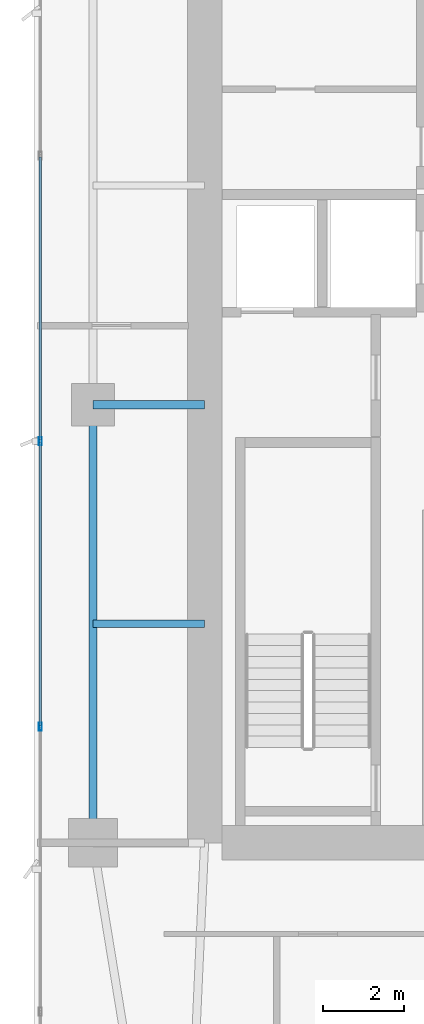
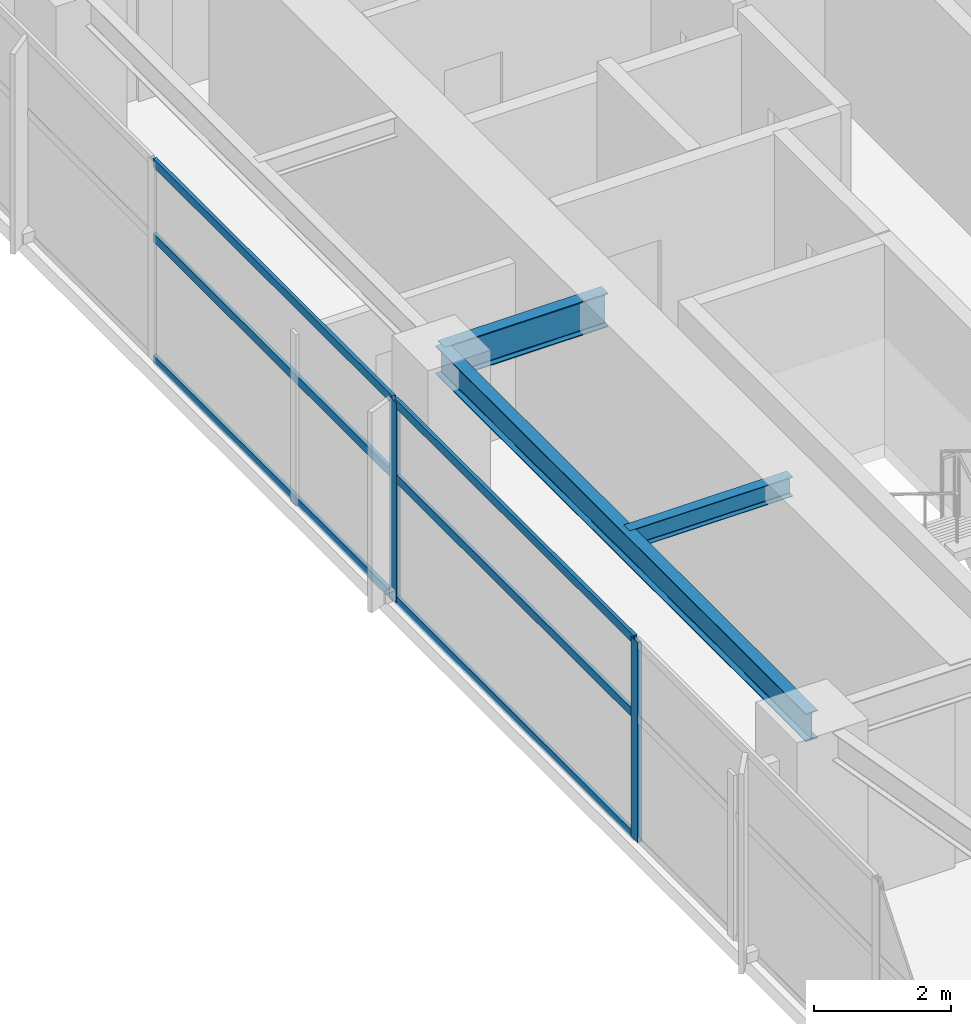
# One storey, part 8 of 28: 8 members, 3 beams, 1 element without a shape of its own.
"""IFC4 building model written with IfcOpenShell, lengths in metres."""

from ifc_helpers import new_model, si_unit, direction, frame, origin, origin_2d, place, context, subcontext, project, spatial, hollow_rectangle, i_section, extrude, material, layer, layer_set, material_profile, profile_set, type_object, element, aggregate, save


model = new_model("IFC4")

# Units and contexts
model_context = context("Model", 3, precision=1e-05, world=origin(), true_north=direction((0.0, 1.0)))
body_context = subcontext(model_context, "Body", "Model", "MODEL_VIEW")
ifc_project = project(units=[si_unit("LENGTHUNIT", "METRE"), si_unit("AREAUNIT", "SQUARE_METRE"), si_unit("VOLUMEUNIT", "CUBIC_METRE"), si_unit("PLANEANGLEUNIT", "RADIAN"), si_unit("MASSUNIT", "GRAM", prefix="KILO")], contexts=[model_context])

# Site, building, storey
site_placement = place(None, origin())
site = spatial("IfcSite", under=ifc_project, at=site_placement, CompositionType="ELEMENT")
building_placement = place(site_placement, origin())
building = spatial("IfcBuilding", under=site, at=building_placement, Name="Calvorn Quay Hotel", CompositionType="ELEMENT")
storey_placement = place(building_placement, frame((0.0, 0.0, 178.89990234375)))
storey = spatial("IfcBuildingStorey", under=building, at=storey_placement, Name="L44", CompositionType="ELEMENT", Elevation=178.89990234375)

# Beams
ifc_material_1 = material(Name="Steel Q355B", Category="steel")
ifc_material_profile_1 = material_profile(ifc_material_1, i_section(OverallWidth=0.199951171875, OverallDepth=0.60009765625, WebThickness=0.010986328125, FlangeThickness=0.01708984375, FilletRadius=0.01806640625, at=origin_2d()), Name="HN600x200x11x17")
ifc_profile_set_1 = profile_set([ifc_material_profile_1], Name="Steel Q355B")
beam_type_1 = type_object("IfcBeamType", Name="BM-GIRD-TYP", PredefinedType="BEAM", material=ifc_profile_set_1)
beam_1_placement = place(storey_placement, frame((1.449951171875, 27.60009765625, 3.239990234375), z_axis=(1.0, 0.0, 0.0), x_axis=(0.0, 1.0, 0.0)))
element("IfcBeam", 1, at=beam_1_placement, inside=storey, type_object=beam_type_1, Name="Beam BG-L44-W2", PredefinedType="BEAM", context=body_context, shape_type="SweptSolid", body=[
    extrude(i_section(OverallWidth=0.199951171875, OverallDepth=0.60009765625, WebThickness=0.010986328125, FlangeThickness=0.01708984375, FilletRadius=0.01806640625, at=origin_2d()), origin(), (0.0, 0.0, 1.0), 2.75),
])
ifc_material_2 = material(Name="Steel Q355B", Category="steel")
ifc_material_profile_2 = material_profile(ifc_material_2, i_section(OverallWidth=0.175048828125, OverallDepth=0.35009765625, WebThickness=0.007080078125, FlangeThickness=0.010986328125, FilletRadius=0.013916015625, at=origin_2d()), Name="HN350x175x7x11")
ifc_profile_set_2 = profile_set([ifc_material_profile_2], Name="Steel Q355B")
beam_type_2 = type_object("IfcBeamType", Name="BM-JOIST-SEC", PredefinedType="JOIST", material=ifc_profile_set_2)
beam_2_placement = place(storey_placement, frame((1.449951171875, 22.199951171875, 3.364990234375), z_axis=(1.0, 0.0, 0.0), x_axis=(0.0, 1.0, 0.0)))
element("IfcBeam", 2, at=beam_2_placement, inside=storey, type_object=beam_type_2, Name="Beam BJ-L44-W3", PredefinedType="JOIST", context=body_context, shape_type="SweptSolid", body=[
    extrude(i_section(OverallWidth=0.175048828125, OverallDepth=0.35009765625, WebThickness=0.007080078125, FlangeThickness=0.010986328125, FilletRadius=0.013916015625, at=origin_2d()), origin(), (0.0, 0.0, 1.0), 2.75),
])
ifc_material_3 = material(Name="Steel Q355B", Category="steel")
ifc_material_profile_3 = material_profile(ifc_material_3, i_section(OverallWidth=0.199951171875, OverallDepth=0.5, WebThickness=0.010009765625, FlangeThickness=0.01611328125, FilletRadius=0.01611328125, at=origin_2d()), Name="HN500x200x10x16")
ifc_profile_set_3 = profile_set([ifc_material_profile_3], Name="Steel Q355B")
beam_type_3 = type_object("IfcBeamType", Name="BM-SPANDREL-Z1", PredefinedType="SPANDREL", material=ifc_profile_set_3)
beam_3_placement = place(storey_placement, frame((1.449951171875, 16.800048828125, 3.2900390625), z_axis=(0.0, 1.0, 0.0), x_axis=(-1.0, 0.0, 0.0)))
element("IfcBeam", 3, at=beam_3_placement, inside=storey, type_object=beam_type_3, Name="Beam BSP-L44-W2", PredefinedType="SPANDREL", context=body_context, shape_type="SweptSolid", body=[
    extrude(i_section(OverallWidth=0.199951171875, OverallDepth=0.5, WebThickness=0.010009765625, FlangeThickness=0.01611328125, FilletRadius=0.01611328125, at=origin_2d()), origin(), (0.0, 0.0, 1.0), 10.800048828125),
])

# Curtain wall, members
ifc_material_4 = material(Name="Pale Anodised Aluminium and Low-E Glass", Category="aluminium")
ifc_layer = layer(ifc_material_4, 0.219970703125)
ifc_layer_set = layer_set([ifc_layer], Name="CW-SYS-Z2")
curtain_wall_type = type_object("IfcCurtainWallType", Name="CW-SYS-Z2", PredefinedType="NOTDEFINED", material=ifc_layer_set)
curtain_wall_placement = place(storey_placement, origin())
curtain_wall = element("IfcCurtainWall", 4, at=curtain_wall_placement, inside=storey, type_object=curtain_wall_type, Name="Tower West Curtain Wall (L44)", PredefinedType="NOTDEFINED")
ifc_material_5 = material(Name="Pale Anodised Aluminium 6063-T6", Category="aluminium")
ifc_material_profile_4 = material_profile(ifc_material_5, hollow_rectangle(XDim=0.070068359375, YDim=0.199951171875, WallThickness=0.00390625, at=origin_2d()), Name="ALU-M200x70x4")
ifc_profile_set_4 = profile_set([ifc_material_profile_4], Name="Pale Anodised Aluminium 6063-T6")
member_type_1 = type_object("IfcMemberType", Name="CW-SYS-Z2-MUL", PredefinedType="MULLION", material=ifc_profile_set_4)
member_1_placement = place(storey_placement, frame((0.14990234375, 19.666748046875, 0.0), z_axis=(0.0, 0.0, 1.0), x_axis=(-1.0, 0.0, 0.0)))
member_1 = element("IfcMember", 5, at=member_1_placement, type_object=member_type_1, Name="CW-L44-W mullion 3", PredefinedType="MULLION", context=body_context, shape_type="SweptSolid", body=[
    extrude(hollow_rectangle(XDim=0.070068359375, YDim=0.199951171875, WallThickness=0.00390625, at=origin_2d()), origin(), (0.0, 0.0, 1.0), 3.56005859375),
])
member_2_placement = place(storey_placement, frame((0.14990234375, 26.699951171875, 0.0), z_axis=(0.0, 0.0, 1.0), x_axis=(-1.0, 0.0, 0.0)))
member_2 = element("IfcMember", 6, at=member_2_placement, type_object=member_type_1, Name="CW-L44-W mullion 4", PredefinedType="MULLION", context=body_context, shape_type="SweptSolid", body=[
    extrude(hollow_rectangle(XDim=0.070068359375, YDim=0.199951171875, WallThickness=0.00390625, at=origin_2d()), origin(), (0.0, 0.0, 1.0), 3.56005859375),
])
ifc_material_6 = material(Name="Pale Anodised Aluminium 6063-T6", Category="aluminium")
ifc_material_profile_5 = material_profile(ifc_material_6, hollow_rectangle(XDim=0.06005859375, YDim=0.14990234375, WallThickness=0.00341796875, at=origin_2d()), Name="ALU-T150x60x3.5")
ifc_profile_set_5 = profile_set([ifc_material_profile_5], Name="Pale Anodised Aluminium 6063-T6")
member_type_2 = type_object("IfcMemberType", Name="CW-SYS-Z2-TRN", PredefinedType="USERDEFINED", material=ifc_profile_set_5)
member_3_placement = place(storey_placement, frame((0.14990234375, 19.69677734375, 0.030029296875), z_axis=(0.0, 1.0, 0.0), x_axis=(-1.0, 0.0, 0.0)))
member_3 = element("IfcMember", 7, at=member_3_placement, type_object=member_type_2, Name="CW-L44-W transom 3.1", ObjectType="TRANSOM", PredefinedType="USERDEFINED", context=body_context, shape_type="SweptSolid", body=[
    extrude(hollow_rectangle(XDim=0.06005859375, YDim=0.14990234375, WallThickness=0.00341796875, at=origin_2d()), origin(), (0.0, 0.0, 1.0), 6.97314453125),
])
member_4_placement = place(storey_placement, frame((0.14990234375, 19.69677734375, 2.2001953125), z_axis=(0.0, 1.0, 0.0), x_axis=(-1.0, 0.0, 0.0)))
member_4 = element("IfcMember", 8, at=member_4_placement, type_object=member_type_2, Name="CW-L44-W transom 3.2", ObjectType="TRANSOM", PredefinedType="USERDEFINED", context=body_context, shape_type="SweptSolid", body=[
    extrude(hollow_rectangle(XDim=0.06005859375, YDim=0.14990234375, WallThickness=0.00341796875, at=origin_2d()), origin(), (0.0, 0.0, 1.0), 6.97314453125),
])
member_5_placement = place(storey_placement, frame((0.14990234375, 19.69677734375, 3.530029296875), z_axis=(0.0, 1.0, 0.0), x_axis=(-1.0, 0.0, 0.0)))
member_5 = element("IfcMember", 9, at=member_5_placement, type_object=member_type_2, Name="CW-L44-W transom 3.3", ObjectType="TRANSOM", PredefinedType="USERDEFINED", context=body_context, shape_type="SweptSolid", body=[
    extrude(hollow_rectangle(XDim=0.06005859375, YDim=0.14990234375, WallThickness=0.00341796875, at=origin_2d()), origin(), (0.0, 0.0, 1.0), 6.97314453125),
])
member_6_placement = place(storey_placement, frame((0.14990234375, 26.72998046875, 0.030029296875), z_axis=(0.0, 1.0, 0.0), x_axis=(-1.0, 0.0, 0.0)))
member_6 = element("IfcMember", 10, at=member_6_placement, type_object=member_type_2, Name="CW-L44-W transom 4.1", ObjectType="TRANSOM", PredefinedType="USERDEFINED", context=body_context, shape_type="SweptSolid", body=[
    extrude(hollow_rectangle(XDim=0.06005859375, YDim=0.14990234375, WallThickness=0.00341796875, at=origin_2d()), origin(), (0.0, 0.0, 1.0), 6.973388671875),
])
member_7_placement = place(storey_placement, frame((0.14990234375, 26.72998046875, 2.2001953125), z_axis=(0.0, 1.0, 0.0), x_axis=(-1.0, 0.0, 0.0)))
member_7 = element("IfcMember", 11, at=member_7_placement, type_object=member_type_2, Name="CW-L44-W transom 4.2", ObjectType="TRANSOM", PredefinedType="USERDEFINED", context=body_context, shape_type="SweptSolid", body=[
    extrude(hollow_rectangle(XDim=0.06005859375, YDim=0.14990234375, WallThickness=0.00341796875, at=origin_2d()), origin(), (0.0, 0.0, 1.0), 6.973388671875),
])
member_8_placement = place(storey_placement, frame((0.14990234375, 26.72998046875, 3.530029296875), z_axis=(0.0, 1.0, 0.0), x_axis=(-1.0, 0.0, 0.0)))
member_8 = element("IfcMember", 12, at=member_8_placement, type_object=member_type_2, Name="CW-L44-W transom 4.3", ObjectType="TRANSOM", PredefinedType="USERDEFINED", context=body_context, shape_type="SweptSolid", body=[
    extrude(hollow_rectangle(XDim=0.06005859375, YDim=0.14990234375, WallThickness=0.00341796875, at=origin_2d()), origin(), (0.0, 0.0, 1.0), 6.973388671875),
])
aggregate(curtain_wall, [member_1, member_2, member_3, member_4, member_5, member_6, member_7, member_8])

save(model, "model.ifc")
